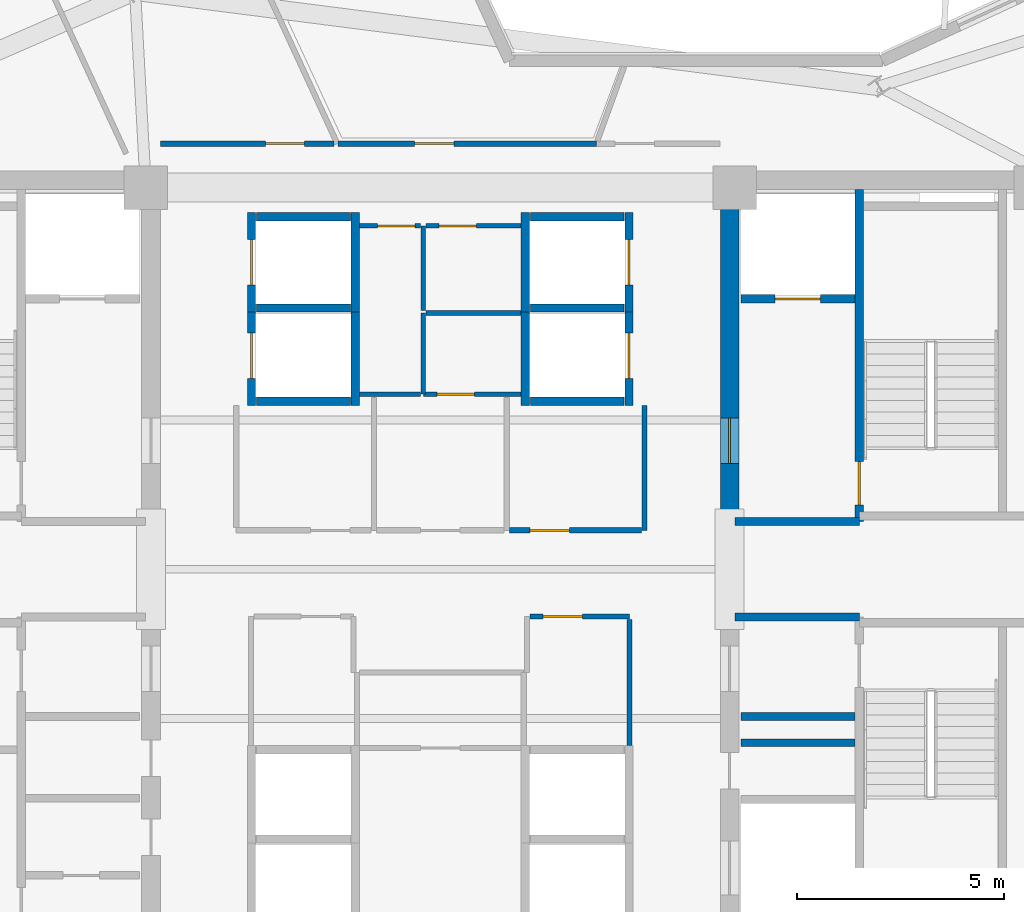
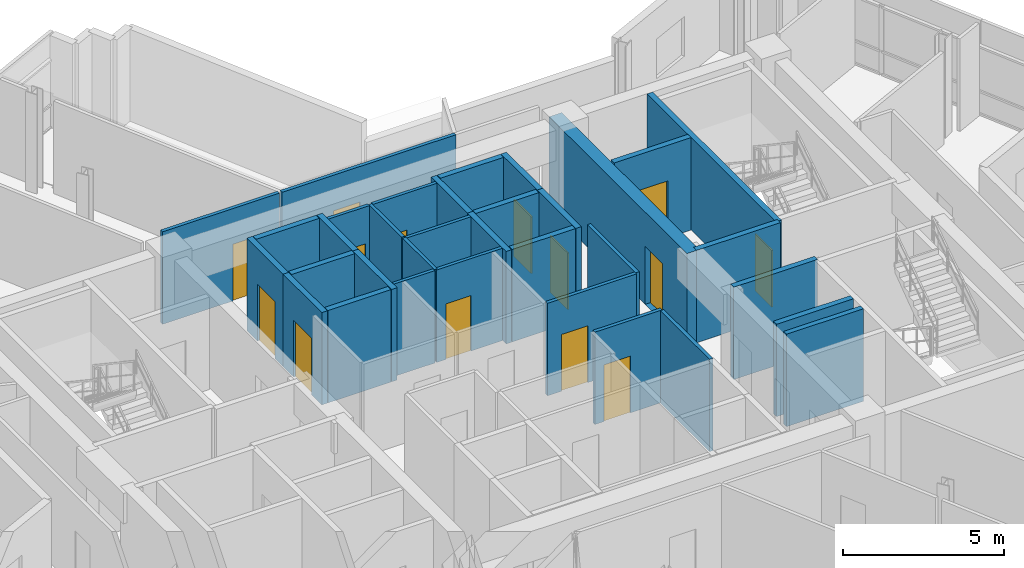
# One storey, part 7 of 12: 34 walls, 14 doors, 14 openings.
"""IFC4 building model written with IfcOpenShell, lengths in metres."""

from ifc_helpers import new_model, si_unit, direction, frame, frame_2d, origin, place, context, subcontext, project, spatial, rectangle, extrude, source, transform, mapped, material, layer, layer_set, type_object, element, fill, save


model = new_model("IFC4")

# Units and contexts
model_context = context("Model", 3, precision=1e-05, world=origin(), true_north=direction((0.0, 1.0)))
body_context = subcontext(model_context, "Body", "Model", "MODEL_VIEW")
ifc_project = project(units=[si_unit("LENGTHUNIT", "METRE"), si_unit("AREAUNIT", "SQUARE_METRE"), si_unit("VOLUMEUNIT", "CUBIC_METRE"), si_unit("PLANEANGLEUNIT", "RADIAN"), si_unit("MASSUNIT", "GRAM", prefix="KILO")], contexts=[model_context])

# Site, building, storey
site_placement = place(None, origin())
site = spatial("IfcSite", under=ifc_project, at=site_placement, CompositionType="ELEMENT")
building_placement = place(site_placement, origin())
building = spatial("IfcBuilding", under=site, at=building_placement, Name="Zahravan Cultural Tower", CompositionType="ELEMENT")
storey_placement = place(building_placement, frame((0.0, 0.0, 239.10009765625)))
storey = spatial("IfcBuildingStorey", under=building, at=storey_placement, Name="L56", CompositionType="ELEMENT", Elevation=239.10009765625)

# Wall, opening, door
ifc_material_1 = material(Name="Concrete C50/60", Category="concrete")
ifc_layer_1 = layer(ifc_material_1, 0.449951171875)
ifc_layer_set_1 = layer_set([ifc_layer_1], Name="Concrete C50/60")
wall_type_1 = type_object("IfcWallType", Name="CW-SHEAR-450-C50", PredefinedType="SHEAR", material=ifc_layer_set_1)
wall_1_placement = place(storey_placement, frame((42.97509765625, 28.050048828125, 0.0), z_axis=(0.0, 0.0, 1.0), x_axis=(0.0, 1.0, 0.0)))
wall_1 = element("IfcWall", 1, at=wall_1_placement, inside=storey, type_object=wall_type_1, Name="L56 Core Shear Wall CW-E-WN-L56", PredefinedType="SHEAR", context=body_context, shape_type="SweptSolid", body=[
    extrude(rectangle(XDim=8.550048828125, YDim=0.449951171875, at=frame_2d((4.27490234375, 0.0))), origin(), (0.0, 0.0, 1.0), 3.5),
])
opening_1_placement = place(wall_1_placement, frame((1.5, 0.0, 0.0)))
opening_1 = element("IfcOpeningElement", 2, at=opening_1_placement, cuts=wall_1, Name="Opening D-L56-07", PredefinedType="OPENING", context=body_context, shape_type="SweptSolid", body=[
    extrude(rectangle(XDim=1.10009765625, YDim=2.199951171875, at=frame_2d((0.550048828125, 1.10009765625))), frame((0.0, 0.23486328125, 0.0), z_axis=(0.0, -1.0, 0.0), x_axis=(1.0, 0.0, 0.0)), (0.0, 0.0, 1.0), 0.469970703125),
])
ifc_material_2 = material(Name="Steel ASTM A572 Grade 50", Category="steel")
door_type_1 = type_object("IfcDoorType", Name="DR-LOBBY-1100", OperationType="NOTDEFINED", PredefinedType="DOOR", material=ifc_material_2)
shared_shape_1 = source(origin(), body_context, "Body", "SweptSolid", [
    extrude(rectangle(XDim=1.10009765625, YDim=2.199951171875, at=frame_2d((0.550048828125, 1.10009765625))), frame((0.0, 0.02490234375, 0.0), z_axis=(0.0, -1.0, 0.0), x_axis=(1.0, 0.0, 0.0)), (0.0, 0.0, 1.0), 0.050048828125),
])
door_1_placement = place(opening_1_placement, origin())
door_1 = element("IfcDoor", 3, at=door_1_placement, inside=storey, type_object=door_type_1, Name="L56 Door D-L56-07", OperationType="SINGLE_SWING_RIGHT", OverallHeight=2.199951171875, OverallWidth=1.10009765625, PredefinedType="DOOR", context=body_context, shape_type="MappedRepresentation", body=[
    mapped(shared_shape_1, transform((0.0, 0.0, 0.0), x_axis=(1.0, 0.0, 0.0), y_axis=(0.0, 1.0, 0.0), z_axis=(0.0, 0.0, 1.0), scale=1.0)),
])
fill(opening_1, door_1)

ifc_material_3 = material(Name="Gypsum plasterboard partition")
ifc_layer_2 = layer(ifc_material_3, 0.125)
ifc_layer_set_2 = layer_set([ifc_layer_2], Name="Gypsum plasterboard partition")
wall_type_2 = type_object("IfcWallType", Name="W-PART-125", PredefinedType="PARTITIONING", material=ifc_layer_set_2)
wall_2_placement = place(storey_placement, frame((38.157470703125, 25.860107421875, 0.0), z_axis=(0.0, 0.0, 1.0), x_axis=(1.0, 0.0, 0.0)))
wall_2 = element("IfcWall", 4, at=wall_2_placement, inside=storey, type_object=wall_type_2, Name="L56 Interior Wall 073", PredefinedType="PARTITIONING", context=body_context, shape_type="SweptSolid", body=[
    extrude(rectangle(XDim=2.402587890625, YDim=0.125, at=frame_2d((1.201171875, 0.0))), origin(), (0.0, 0.0, 1.0), 3.5),
])
opening_2_placement = place(wall_2_placement, frame((0.319580078125, 0.0, 0.0)))
opening_2 = element("IfcOpeningElement", 5, at=opening_2_placement, cuts=wall_2, Name="Opening D-L56-15", PredefinedType="OPENING", context=body_context, shape_type="SweptSolid", body=[
    extrude(rectangle(XDim=0.949951171875, YDim=2.14990234375, at=frame_2d((0.47509765625, 1.074951171875))), frame((0.0, 0.072509765625, 0.0), z_axis=(0.0, -1.0, 0.0), x_axis=(1.0, 0.0, 0.0)), (0.0, 0.0, 1.0), 0.14501953125),
])
ifc_material_4 = material(Name="Anodised bronze-aluminium mullion", Category="aluminium")
door_type_2 = type_object("IfcDoorType", Name="DR-ROOM-950", OperationType="NOTDEFINED", PredefinedType="DOOR", material=ifc_material_4)
shared_shape_2 = source(origin(), body_context, "Body", "SweptSolid", [
    extrude(rectangle(XDim=0.949951171875, YDim=2.14990234375, at=frame_2d((0.47509765625, 1.074951171875))), frame((0.0, 0.02490234375, 0.0), z_axis=(0.0, -1.0, 0.0), x_axis=(1.0, 0.0, 0.0)), (0.0, 0.0, 1.0), 0.050048828125),
])
door_2_placement = place(opening_2_placement, origin())
door_2 = element("IfcDoor", 6, at=door_2_placement, inside=storey, type_object=door_type_2, Name="L56 Door D-L56-15", OperationType="SINGLE_SWING_RIGHT", OverallHeight=2.14990234375, OverallWidth=0.949951171875, PredefinedType="DOOR", context=body_context, shape_type="MappedRepresentation", body=[
    mapped(shared_shape_2, transform((0.0, 0.0, 0.0), x_axis=(1.0, 0.0, 0.0), y_axis=(0.0, 1.0, 0.0), z_axis=(0.0, 0.0, 1.0), scale=1.0)),
])
fill(opening_2, door_2)

wall_3_placement = place(storey_placement, frame((40.8525390625, 27.93994140625, 0.0), z_axis=(0.0, 0.0, 1.0), x_axis=(-1.0, 0.0, 0.0)))
wall_3 = element("IfcWall", 7, at=wall_3_placement, inside=storey, type_object=wall_type_2, Name="L56 Interior Wall 081", PredefinedType="PARTITIONING", context=body_context, shape_type="SweptSolid", body=[
    extrude(rectangle(XDim=3.18505859375, YDim=0.125, at=frame_2d((1.592529296875, 0.0))), origin(), (0.0, 0.0, 1.0), 3.5),
])
opening_3_placement = place(wall_3_placement, frame((1.743408203125, 0.0, 0.0)))
opening_3 = element("IfcOpeningElement", 8, at=opening_3_placement, cuts=wall_3, Name="Opening D-L56-20", PredefinedType="OPENING", context=body_context, shape_type="SweptSolid", body=[
    extrude(rectangle(XDim=0.949951171875, YDim=2.14990234375, at=frame_2d((0.47509765625, 1.074951171875))), frame((0.0, 0.072509765625, 0.0), z_axis=(0.0, -1.0, 0.0), x_axis=(1.0, 0.0, 0.0)), (0.0, 0.0, 1.0), 0.14501953125),
])
door_3_placement = place(opening_3_placement, origin())
door_3 = element("IfcDoor", 9, at=door_3_placement, inside=storey, type_object=door_type_2, Name="L56 Door D-L56-20", OperationType="SINGLE_SWING_LEFT", OverallHeight=2.14990234375, OverallWidth=0.949951171875, PredefinedType="DOOR", context=body_context, shape_type="MappedRepresentation", body=[
    mapped(shared_shape_2, transform((0.0, 0.0, 0.0), x_axis=(1.0, 0.0, 0.0), y_axis=(0.0, 1.0, 0.0), z_axis=(0.0, 0.0, 1.0), scale=1.0)),
])
fill(opening_3, door_3)

wall_4_placement = place(storey_placement, frame((33.443115234375, 37.260009765625, 0.0), z_axis=(0.0, 0.0, 1.0), x_axis=(-0.999999998299, -5.8329445e-05, 0.0)))
wall_4 = element("IfcWall", 10, at=wall_4_placement, inside=storey, type_object=wall_type_2, Name="L56 Interior Wall 102", PredefinedType="PARTITIONING", context=body_context, shape_type="SweptSolid", body=[
    extrude(rectangle(XDim=4.185546875, YDim=0.125, at=frame_2d((2.0927734375, 0.0))), origin(), (0.0, 0.0, 1.0), 3.5),
])
opening_4_placement = place(wall_4_placement, frame((0.7119140625, 0.0, 0.0)))
opening_4 = element("IfcOpeningElement", 11, at=opening_4_placement, cuts=wall_4, Name="Opening D-L56-25", PredefinedType="OPENING", context=body_context, shape_type="SweptSolid", body=[
    extrude(rectangle(XDim=0.949951171875, YDim=2.14990234375, at=frame_2d((0.47509765625, 1.074951171875))), frame((0.0, 0.072509765625, 0.0), z_axis=(0.0, -1.0, 0.0), x_axis=(1.0, 0.0, 0.0)), (0.0, 0.0, 1.0), 0.14501953125),
])
door_4_placement = place(opening_4_placement, origin())
door_4 = element("IfcDoor", 12, at=door_4_placement, inside=storey, type_object=door_type_2, Name="L56 Door D-L56-25", OperationType="SINGLE_SWING_RIGHT", OverallHeight=2.14990234375, OverallWidth=0.949951171875, PredefinedType="DOOR", context=body_context, shape_type="MappedRepresentation", body=[
    mapped(shared_shape_2, transform((0.0, 0.0, 0.0), x_axis=(1.0, 0.0, 0.0), y_axis=(0.0, 1.0, 0.0), z_axis=(0.0, 0.0, 1.0), scale=1.0)),
])
fill(opening_4, door_4)

wall_5_placement = place(storey_placement, frame((39.760986328125, 37.260009765625, 0.0), z_axis=(0.0, 0.0, 1.0), x_axis=(-1.0, 0.0, 0.0)))
wall_5 = element("IfcWall", 13, at=wall_5_placement, inside=storey, type_object=wall_type_2, Name="L56 Interior Wall 116", PredefinedType="PARTITIONING", context=body_context, shape_type="SweptSolid", body=[
    extrude(rectangle(XDim=6.221435546875, YDim=0.125, at=frame_2d((3.11083984375, 0.0))), origin(), (0.0, 0.0, 1.0), 3.5),
])
opening_5_placement = place(wall_5_placement, frame((3.426513671875, 0.0, 0.0)))
opening_5 = element("IfcOpeningElement", 14, at=opening_5_placement, cuts=wall_5, Name="Opening D-L56-24", PredefinedType="OPENING", context=body_context, shape_type="SweptSolid", body=[
    extrude(rectangle(XDim=0.949951171875, YDim=2.14990234375, at=frame_2d((0.47509765625, 1.074951171875))), frame((0.0, 0.072509765625, 0.0), z_axis=(0.0, -1.0, 0.0), x_axis=(1.0, 0.0, 0.0)), (0.0, 0.0, 1.0), 0.14501953125),
])
door_5_placement = place(opening_5_placement, origin())
door_5 = element("IfcDoor", 15, at=door_5_placement, inside=storey, type_object=door_type_2, Name="L56 Door D-L56-24", OperationType="SINGLE_SWING_LEFT", OverallHeight=2.14990234375, OverallWidth=0.949951171875, PredefinedType="DOOR", context=body_context, shape_type="MappedRepresentation", body=[
    mapped(shared_shape_2, transform((0.0, 0.0, 0.0), x_axis=(1.0, 0.0, 0.0), y_axis=(0.0, 1.0, 0.0), z_axis=(0.0, 0.0, 1.0), scale=1.0)),
])
fill(opening_5, door_5)

ifc_material_5 = material(Name="Concrete C45/55", Category="concrete")
ifc_layer_3 = layer(ifc_material_5, 0.199951171875)
ifc_layer_set_3 = layer_set([ifc_layer_3], Name="Concrete C45/55")
wall_type_3 = type_object("IfcWallType", Name="W-SHAFT-200", PredefinedType="SOLIDWALL", material=ifc_layer_set_3)
wall_6_placement = place(storey_placement, frame((46.10009765625, 28.14990234375, 0.0), z_axis=(0.0, 0.0, 1.0), x_axis=(0.0, 1.0, 0.0)))
wall_6 = element("IfcWall", 16, at=wall_6_placement, inside=storey, type_object=wall_type_3, Name="L56 Interior Wall 008", PredefinedType="SOLIDWALL", context=body_context, shape_type="SweptSolid", body=[
    extrude(rectangle(XDim=8.0, YDim=0.199951171875, at=frame_2d((4.0, 0.0))), origin(), (0.0, 0.0, 1.0), 3.5),
])
opening_6_placement = place(wall_6_placement, frame((0.39990234375, 0.0, 0.0)))
opening_6 = element("IfcOpeningElement", 17, at=opening_6_placement, cuts=wall_6, Name="Opening D-L56-02", PredefinedType="OPENING", context=body_context, shape_type="SweptSolid", body=[
    extrude(rectangle(XDim=1.050048828125, YDim=2.14990234375, at=frame_2d((0.52490234375, 1.074951171875))), frame((0.0, 0.10986328125, 0.0), z_axis=(0.0, -1.0, 0.0), x_axis=(1.0, 0.0, 0.0)), (0.0, 0.0, 1.0), 0.219970703125),
])
door_type_3 = type_object("IfcDoorType", Name="DR-STAIR-1050", OperationType="NOTDEFINED", PredefinedType="DOOR", material=ifc_material_2)
shared_shape_3 = source(origin(), body_context, "Body", "SweptSolid", [
    extrude(rectangle(XDim=1.050048828125, YDim=2.14990234375, at=frame_2d((0.52490234375, 1.074951171875))), frame((0.0, 0.02490234375, 0.0), z_axis=(0.0, -1.0, 0.0), x_axis=(1.0, 0.0, 0.0)), (0.0, 0.0, 1.0), 0.050048828125),
])
door_6_placement = place(opening_6_placement, origin())
door_6 = element("IfcDoor", 18, at=door_6_placement, inside=storey, type_object=door_type_3, Name="L56 Door D-L56-02", OperationType="SINGLE_SWING_LEFT", OverallHeight=2.14990234375, OverallWidth=1.050048828125, PredefinedType="DOOR", context=body_context, shape_type="MappedRepresentation", body=[
    mapped(shared_shape_3, transform((0.0, 0.0, 0.0), x_axis=(1.0, 0.0, 0.0), y_axis=(0.0, 1.0, 0.0), z_axis=(0.0, 0.0, 1.0), scale=1.0)),
])
fill(opening_6, door_6)

wall_7_placement = place(storey_placement, frame((43.25, 33.52001953125, 0.0), z_axis=(0.0, 0.0, 1.0), x_axis=(1.0, 0.0, 0.0)))
wall_7 = element("IfcWall", 19, at=wall_7_placement, inside=storey, type_object=wall_type_3, Name="L56 Interior Wall 023", PredefinedType="SOLIDWALL", context=body_context, shape_type="SweptSolid", body=[
    extrude(rectangle(XDim=2.75, YDim=0.199951171875, at=frame_2d((1.375, 0.0))), origin(), (0.0, 0.0, 1.0), 3.5),
])
opening_7_placement = place(wall_7_placement, frame((0.820068359375, 0.0, 0.0)))
opening_7 = element("IfcOpeningElement", 20, at=opening_7_placement, cuts=wall_7, Name="Opening LD-L56-02", PredefinedType="OPENING", context=body_context, shape_type="SweptSolid", body=[
    extrude(rectangle(XDim=1.10009765625, YDim=2.14990234375, at=frame_2d((0.550048828125, 1.074951171875))), frame((0.0, 0.10986328125, 0.0), z_axis=(0.0, -1.0, 0.0), x_axis=(1.0, 0.0, 0.0)), (0.0, 0.0, 1.0), 0.219970703125),
])
door_type_4 = type_object("IfcDoorType", Name="DR-LIFT-1100", OperationType="DOUBLE_DOOR_SLIDING", PredefinedType="DOOR", material=ifc_material_2)
shared_shape_4 = source(origin(), body_context, "Body", "SweptSolid", [
    extrude(rectangle(XDim=1.10009765625, YDim=2.14990234375, at=frame_2d((0.550048828125, 1.074951171875))), frame((0.0, 0.02490234375, 0.0), z_axis=(0.0, -1.0, 0.0), x_axis=(1.0, 0.0, 0.0)), (0.0, 0.0, 1.0), 0.050048828125),
])
door_7_placement = place(opening_7_placement, origin())
door_7 = element("IfcDoor", 21, at=door_7_placement, inside=storey, type_object=door_type_4, Name="L56 Door LD-L56-02", OperationType="DOUBLE_DOOR_SLIDING", OverallHeight=2.14990234375, OverallWidth=1.10009765625, PredefinedType="DOOR", context=body_context, shape_type="MappedRepresentation", body=[
    mapped(shared_shape_4, transform((0.0, 0.0, 0.0), x_axis=(1.0, 0.0, 0.0), y_axis=(0.0, 1.0, 0.0), z_axis=(0.0, 0.0, 1.0), scale=1.0)),
])
fill(opening_7, door_7)

wall_8_placement = place(storey_placement, frame((31.449951171875, 33.199951171875, 0.0), z_axis=(0.0, 0.0, 1.0), x_axis=(0.0, 1.0, 0.0)))
wall_8 = element("IfcWall", 22, at=wall_8_placement, inside=storey, type_object=wall_type_3, Name="L56 Interior Wall 030", PredefinedType="SOLIDWALL", context=body_context, shape_type="SweptSolid", body=[
    extrude(rectangle(XDim=2.400146484375, YDim=0.199951171875, at=frame_2d((1.2001953125, 0.0))), origin(), (0.0, 0.0, 1.0), 3.5),
])
opening_8_placement = place(wall_8_placement, frame((0.64990234375, 0.0, 0.0)))
opening_8 = element("IfcOpeningElement", 23, at=opening_8_placement, cuts=wall_8, Name="Opening LD-L56-04", PredefinedType="OPENING", context=body_context, shape_type="SweptSolid", body=[
    extrude(rectangle(XDim=1.10009765625, YDim=2.14990234375, at=frame_2d((0.550048828125, 1.074951171875))), frame((0.0, 0.10986328125, 0.0), z_axis=(0.0, -1.0, 0.0), x_axis=(1.0, 0.0, 0.0)), (0.0, 0.0, 1.0), 0.219970703125),
])
door_8_placement = place(opening_8_placement, origin())
door_8 = element("IfcDoor", 24, at=door_8_placement, inside=storey, type_object=door_type_4, Name="L56 Door LD-L56-04", OperationType="DOUBLE_DOOR_SLIDING", OverallHeight=2.14990234375, OverallWidth=1.10009765625, PredefinedType="DOOR", context=body_context, shape_type="MappedRepresentation", body=[
    mapped(shared_shape_4, transform((0.0, 0.0, 0.0), x_axis=(1.0, 0.0, 0.0), y_axis=(0.0, 1.0, 0.0), z_axis=(0.0, 0.0, 1.0), scale=1.0)),
])
fill(opening_8, door_8)

wall_9_placement = place(storey_placement, frame((31.449951171875, 30.949951171875, 0.0), z_axis=(0.0, 0.0, 1.0), x_axis=(0.0, 1.0, 0.0)))
wall_9 = element("IfcWall", 25, at=wall_9_placement, inside=storey, type_object=wall_type_3, Name="L56 Interior Wall 034", PredefinedType="SOLIDWALL", context=body_context, shape_type="SweptSolid", body=[
    extrude(rectangle(XDim=2.400146484375, YDim=0.199951171875, at=frame_2d((1.2001953125, 0.0))), origin(), (0.0, 0.0, 1.0), 3.5),
])
opening_9_placement = place(wall_9_placement, frame((0.64990234375, 0.0, 0.0)))
opening_9 = element("IfcOpeningElement", 26, at=opening_9_placement, cuts=wall_9, Name="Opening LD-L56-05", PredefinedType="OPENING", context=body_context, shape_type="SweptSolid", body=[
    extrude(rectangle(XDim=1.10009765625, YDim=2.14990234375, at=frame_2d((0.550048828125, 1.074951171875))), frame((0.0, 0.10986328125, 0.0), z_axis=(0.0, -1.0, 0.0), x_axis=(1.0, 0.0, 0.0)), (0.0, 0.0, 1.0), 0.219970703125),
])
door_9_placement = place(opening_9_placement, origin())
door_9 = element("IfcDoor", 27, at=door_9_placement, inside=storey, type_object=door_type_4, Name="L56 Door LD-L56-05", OperationType="DOUBLE_DOOR_SLIDING", OverallHeight=2.14990234375, OverallWidth=1.10009765625, PredefinedType="DOOR", context=body_context, shape_type="MappedRepresentation", body=[
    mapped(shared_shape_4, transform((0.0, 0.0, 0.0), x_axis=(1.0, 0.0, 0.0), y_axis=(0.0, 1.0, 0.0), z_axis=(0.0, 0.0, 1.0), scale=1.0)),
])
fill(opening_9, door_9)

wall_10_placement = place(storey_placement, frame((40.550048828125, 33.199951171875, 0.0), z_axis=(0.0, 0.0, 1.0), x_axis=(0.0, 1.0, 0.0)))
wall_10 = element("IfcWall", 28, at=wall_10_placement, inside=storey, type_object=wall_type_3, Name="L56 Interior Wall 038", PredefinedType="SOLIDWALL", context=body_context, shape_type="SweptSolid", body=[
    extrude(rectangle(XDim=2.400146484375, YDim=0.199951171875, at=frame_2d((1.2001953125, 0.0))), origin(), (0.0, 0.0, 1.0), 3.5),
])
opening_10_placement = place(wall_10_placement, frame((0.64990234375, 0.0, 0.0)))
opening_10 = element("IfcOpeningElement", 29, at=opening_10_placement, cuts=wall_10, Name="Opening LD-L56-06", PredefinedType="OPENING", context=body_context, shape_type="SweptSolid", body=[
    extrude(rectangle(XDim=1.10009765625, YDim=2.14990234375, at=frame_2d((0.550048828125, 1.074951171875))), frame((0.0, 0.10986328125, 0.0), z_axis=(0.0, -1.0, 0.0), x_axis=(1.0, 0.0, 0.0)), (0.0, 0.0, 1.0), 0.219970703125),
])
door_10_placement = place(opening_10_placement, origin())
door_10 = element("IfcDoor", 30, at=door_10_placement, inside=storey, type_object=door_type_4, Name="L56 Door LD-L56-06", OperationType="DOUBLE_DOOR_SLIDING", OverallHeight=2.14990234375, OverallWidth=1.10009765625, PredefinedType="DOOR", context=body_context, shape_type="MappedRepresentation", body=[
    mapped(shared_shape_4, transform((0.0, 0.0, 0.0), x_axis=(1.0, 0.0, 0.0), y_axis=(0.0, 1.0, 0.0), z_axis=(0.0, 0.0, 1.0), scale=1.0)),
])
fill(opening_10, door_10)

wall_11_placement = place(storey_placement, frame((40.550048828125, 30.949951171875, 0.0), z_axis=(0.0, 0.0, 1.0), x_axis=(0.0, 1.0, 0.0)))
wall_11 = element("IfcWall", 31, at=wall_11_placement, inside=storey, type_object=wall_type_3, Name="L56 Interior Wall 042", PredefinedType="SOLIDWALL", context=body_context, shape_type="SweptSolid", body=[
    extrude(rectangle(XDim=2.400146484375, YDim=0.199951171875, at=frame_2d((1.2001953125, 0.0))), origin(), (0.0, 0.0, 1.0), 3.5),
])
opening_11_placement = place(wall_11_placement, frame((0.64990234375, 0.0, 0.0)))
opening_11 = element("IfcOpeningElement", 32, at=opening_11_placement, cuts=wall_11, Name="Opening LD-L56-07", PredefinedType="OPENING", context=body_context, shape_type="SweptSolid", body=[
    extrude(rectangle(XDim=1.10009765625, YDim=2.14990234375, at=frame_2d((0.550048828125, 1.074951171875))), frame((0.0, 0.10986328125, 0.0), z_axis=(0.0, -1.0, 0.0), x_axis=(1.0, 0.0, 0.0)), (0.0, 0.0, 1.0), 0.219970703125),
])
door_11_placement = place(opening_11_placement, origin())
door_11 = element("IfcDoor", 33, at=door_11_placement, inside=storey, type_object=door_type_4, Name="L56 Door LD-L56-07", OperationType="DOUBLE_DOOR_SLIDING", OverallHeight=2.14990234375, OverallWidth=1.10009765625, PredefinedType="DOOR", context=body_context, shape_type="MappedRepresentation", body=[
    mapped(shared_shape_4, transform((0.0, 0.0, 0.0), x_axis=(1.0, 0.0, 0.0), y_axis=(0.0, 1.0, 0.0), z_axis=(0.0, 0.0, 1.0), scale=1.0)),
])
fill(opening_11, door_11)

ifc_layer_4 = layer(ifc_material_3, 0.114990234375)
ifc_layer_set_4 = layer_set([ifc_layer_4], Name="Gypsum plasterboard partition")
wall_type_4 = type_object("IfcWallType", Name="W-WC-115", PredefinedType="PARTITIONING", material=ifc_layer_set_4)
wall_12_placement = place(storey_placement, frame((37.945068359375, 31.219970703125, 0.0), z_axis=(0.0, 0.0, 1.0), x_axis=(-1.0, 0.0, 0.0)))
wall_12 = element("IfcWall", 34, at=wall_12_placement, inside=storey, type_object=wall_type_4, Name="L56 Interior Wall 058", PredefinedType="PARTITIONING", context=body_context, shape_type="SweptSolid", body=[
    extrude(rectangle(XDim=2.35498046875, YDim=0.114990234375, at=frame_2d((1.177490234375, 0.0))), origin(), (0.0, 0.0, 1.0), 3.5),
])
opening_12_placement = place(wall_12_placement, frame((1.120849609375, 0.0, 0.0)))
opening_12 = element("IfcOpeningElement", 35, at=opening_12_placement, cuts=wall_12, Name="Opening D-L56-31", PredefinedType="OPENING", context=body_context, shape_type="SweptSolid", body=[
    extrude(rectangle(XDim=0.89990234375, YDim=2.10009765625, at=frame_2d((0.449951171875, 1.050048828125))), frame((0.0, 0.0673828125, 0.0), z_axis=(0.0, -1.0, 0.0), x_axis=(1.0, 0.0, 0.0)), (0.0, 0.0, 1.0), 0.135009765625),
])
door_type_5 = type_object("IfcDoorType", Name="DR-WC-900", OperationType="NOTDEFINED", PredefinedType="DOOR", material=ifc_material_4)
shared_shape_5 = source(origin(), body_context, "Body", "SweptSolid", [
    extrude(rectangle(XDim=0.89990234375, YDim=2.10009765625, at=frame_2d((0.449951171875, 1.050048828125))), frame((0.0, 0.02490234375, 0.0), z_axis=(0.0, -1.0, 0.0), x_axis=(1.0, 0.0, 0.0)), (0.0, 0.0, 1.0), 0.050048828125),
])
door_12_placement = place(opening_12_placement, origin())
door_12 = element("IfcDoor", 36, at=door_12_placement, inside=storey, type_object=door_type_5, Name="L56 Door D-L56-31", OperationType="SINGLE_SWING_RIGHT", OverallHeight=2.10009765625, OverallWidth=0.89990234375, PredefinedType="DOOR", context=body_context, shape_type="MappedRepresentation", body=[
    mapped(shared_shape_5, transform((0.0, 0.0, 0.0), x_axis=(1.0, 0.0, 0.0), y_axis=(0.0, 1.0, 0.0), z_axis=(0.0, 0.0, 1.0), scale=1.0)),
])
fill(opening_12, door_12)

wall_13_placement = place(storey_placement, frame((35.652587890625, 35.280029296875, 0.0), z_axis=(0.0, 0.0, 1.0), x_axis=(1.0, 0.0, 0.0)))
wall_13 = element("IfcWall", 37, at=wall_13_placement, inside=storey, type_object=wall_type_4, Name="L56 Interior Wall 062", PredefinedType="PARTITIONING", context=body_context, shape_type="SweptSolid", body=[
    extrude(rectangle(XDim=2.29248046875, YDim=0.114990234375, at=frame_2d((1.146240234375, 0.0))), origin(), (0.0, 0.0, 1.0), 3.5),
])
opening_13_placement = place(wall_13_placement, frame((0.3203125, 0.0, 0.0)))
opening_13 = element("IfcOpeningElement", 38, at=opening_13_placement, cuts=wall_13, Name="Opening D-L56-17", PredefinedType="OPENING", context=body_context, shape_type="SweptSolid", body=[
    extrude(rectangle(XDim=0.89990234375, YDim=2.10009765625, at=frame_2d((0.449951171875, 1.050048828125))), frame((0.0, 0.0673828125, 0.0), z_axis=(0.0, -1.0, 0.0), x_axis=(1.0, 0.0, 0.0)), (0.0, 0.0, 1.0), 0.135009765625),
])
door_13_placement = place(opening_13_placement, origin())
door_13 = element("IfcDoor", 39, at=door_13_placement, inside=storey, type_object=door_type_5, Name="L56 Door D-L56-17", OperationType="SINGLE_SWING_RIGHT", OverallHeight=2.10009765625, OverallWidth=0.89990234375, PredefinedType="DOOR", context=body_context, shape_type="MappedRepresentation", body=[
    mapped(shared_shape_5, transform((0.0, 0.0, 0.0), x_axis=(1.0, 0.0, 0.0), y_axis=(0.0, 1.0, 0.0), z_axis=(0.0, 0.0, 1.0), scale=1.0)),
])
fill(opening_13, door_13)

wall_14_placement = place(storey_placement, frame((34.054931640625, 35.280029296875, 0.0), z_axis=(0.0, 0.0, 1.0), x_axis=(1.0, 0.0, 0.0)))
wall_14 = element("IfcWall", 40, at=wall_14_placement, inside=storey, type_object=wall_type_4, Name="L56 Interior Wall 064", PredefinedType="PARTITIONING", context=body_context, shape_type="SweptSolid", body=[
    extrude(rectangle(XDim=1.47265625, YDim=0.114990234375, at=frame_2d((0.736328125, 0.0))), origin(), (0.0, 0.0, 1.0), 3.5),
])
opening_14_placement = place(wall_14_placement, frame((0.4326171875, 0.0, 0.0)))
opening_14 = element("IfcOpeningElement", 41, at=opening_14_placement, cuts=wall_14, Name="Opening D-L56-16", PredefinedType="OPENING", context=body_context, shape_type="SweptSolid", body=[
    extrude(rectangle(XDim=0.89990234375, YDim=2.10009765625, at=frame_2d((0.449951171875, 1.050048828125))), frame((0.0, 0.0673828125, 0.0), z_axis=(0.0, -1.0, 0.0), x_axis=(1.0, 0.0, 0.0)), (0.0, 0.0, 1.0), 0.135009765625),
])
door_14_placement = place(opening_14_placement, origin())
door_14 = element("IfcDoor", 42, at=door_14_placement, inside=storey, type_object=door_type_5, Name="L56 Door D-L56-16", OperationType="SINGLE_SWING_LEFT", OverallHeight=2.10009765625, OverallWidth=0.89990234375, PredefinedType="DOOR", context=body_context, shape_type="MappedRepresentation", body=[
    mapped(shared_shape_5, transform((0.0, 0.0, 0.0), x_axis=(1.0, 0.0, 0.0), y_axis=(0.0, 1.0, 0.0), z_axis=(0.0, 0.0, 1.0), scale=1.0)),
])
fill(opening_14, door_14)

# Walls
shared_shape_6 = source(origin(), body_context, "Body", "SweptSolid", [
    extrude(rectangle(XDim=3.0, YDim=0.199951171875, at=frame_2d((1.5, 0.0))), origin(), (0.0, 0.0, 1.0), 3.5),
])
for number, where, z_axis, x_axis, name in (
    (43, (43.10009765625, 25.85009765625, 0.0), (0.0, 0.0, 1.0), (1.0, 0.0, 0.0), "L56 Interior Wall 013"),
    (44, (43.10009765625, 28.14990234375, 0.0), (0.0, 0.0, 1.0), (1.0, 0.0, 0.0), "L56 Interior Wall 015"),
):
    element("IfcWall", number, at=place(storey_placement, frame(where, z_axis=z_axis, x_axis=x_axis)), inside=storey, type_object=wall_type_3, Name=name, PredefinedType="SOLIDWALL", context=body_context, shape_type="MappedRepresentation", body=[
        mapped(shared_shape_6, transform((0.0, 0.0, 0.0), x_axis=(1.0, 0.0, 0.0), y_axis=(0.0, 1.0, 0.0), z_axis=(0.0, 0.0, 1.0), scale=1.0)),
    ])
shared_shape_7 = source(origin(), body_context, "Body", "SweptSolid", [
    extrude(rectangle(XDim=2.75, YDim=0.199951171875, at=frame_2d((1.375, 0.0))), origin(), (0.0, 0.0, 1.0), 3.5),
])
wall_15_placement = place(storey_placement, frame((43.25, 23.449951171875, 0.0), z_axis=(0.0, 0.0, 1.0), x_axis=(1.0, 0.0, 0.0)))
element("IfcWall", 45, at=wall_15_placement, inside=storey, type_object=wall_type_3, Name="L56 Interior Wall 025", PredefinedType="SOLIDWALL", context=body_context, shape_type="MappedRepresentation", body=[
    mapped(shared_shape_7, transform((0.0, 0.0, 0.0), x_axis=(1.0, 0.0, 0.0), y_axis=(0.0, 1.0, 0.0), z_axis=(0.0, 0.0, 1.0), scale=1.0)),
])
ifc_layer_5 = layer(ifc_material_3, 0.179931640625)
ifc_layer_set_5 = layer_set([ifc_layer_5], Name="Gypsum plasterboard partition")
wall_type_5 = type_object("IfcWallType", Name="W-COMP-180", PredefinedType="PARTITIONING", material=ifc_layer_set_5)
shared_shape_8 = source(origin(), body_context, "Body", "SweptSolid", [
    extrude(rectangle(XDim=2.75, YDim=0.179931640625, at=frame_2d((1.375, 0.0))), origin(), (0.0, 0.0, 1.0), 3.5),
])
wall_16_placement = place(storey_placement, frame((43.25, 22.820068359375, 0.0), z_axis=(0.0, 0.0, 1.0), x_axis=(1.0, 0.0, 0.0)))
element("IfcWall", 46, at=wall_16_placement, inside=storey, type_object=wall_type_5, Name="L56 Interior Wall 029", PredefinedType="PARTITIONING", context=body_context, shape_type="MappedRepresentation", body=[
    mapped(shared_shape_8, transform((0.0, 0.0, 0.0), x_axis=(1.0, 0.0, 0.0), y_axis=(0.0, 1.0, 0.0), z_axis=(0.0, 0.0, 1.0), scale=1.0)),
])
shared_shape_9 = source(origin(), body_context, "Body", "SweptSolid", [
    extrude(rectangle(XDim=2.400146484375, YDim=0.199951171875, at=frame_2d((1.2001953125, 0.0))), origin(), (0.0, 0.0, 1.0), 3.5),
])
for number, where, z_axis, x_axis, name in (
    (47, (33.949951171875, 33.199951171875, 0.0), (0.0, 0.0, 1.0), (0.0, 1.0, 0.0), "L56 Interior Wall 031"),
    (48, (33.949951171875, 30.949951171875, 0.0), (0.0, 0.0, 1.0), (0.0, 1.0, 0.0), "L56 Interior Wall 035"),
    (49, (38.050048828125, 33.199951171875, 0.0), (0.0, 0.0, 1.0), (0.0, 1.0, 0.0), "L56 Interior Wall 037"),
    (50, (38.050048828125, 30.949951171875, 0.0), (0.0, 0.0, 1.0), (0.0, 1.0, 0.0), "L56 Interior Wall 041"),
):
    element("IfcWall", number, at=place(storey_placement, frame(where, z_axis=z_axis, x_axis=x_axis)), inside=storey, type_object=wall_type_3, Name=name, PredefinedType="SOLIDWALL", context=body_context, shape_type="MappedRepresentation", body=[
        mapped(shared_shape_9, transform((0.0, 0.0, 0.0), x_axis=(1.0, 0.0, 0.0), y_axis=(0.0, 1.0, 0.0), z_axis=(0.0, 0.0, 1.0), scale=1.0)),
    ])
shared_shape_10 = source(origin(), body_context, "Body", "SweptSolid", [
    extrude(rectangle(XDim=2.260009765625, YDim=0.199951171875, at=frame_2d((1.1298828125, 0.0))), origin(), (0.0, 0.0, 1.0), 3.5),
])
for number, where, z_axis, x_axis, name in (
    (51, (31.570068359375, 33.300048828125, 0.0), (0.0, 0.0, 1.0), (1.0, 0.0, 0.0), "L56 Interior Wall 032"),
    (52, (31.570068359375, 35.5, 0.0), (0.0, 0.0, 1.0), (1.0, 0.0, 0.0), "L56 Interior Wall 033"),
    (53, (31.570068359375, 31.050048828125, 0.0), (0.0, 0.0, 1.0), (1.0, 0.0, 0.0), "L56 Interior Wall 036"),
    (54, (38.169921875, 33.300048828125, 0.0), (0.0, 0.0, 1.0), (1.0, 0.0, 0.0), "L56 Interior Wall 039"),
    (55, (38.169921875, 35.5, 0.0), (0.0, 0.0, 1.0), (1.0, 0.0, 0.0), "L56 Interior Wall 040"),
    (56, (38.169921875, 31.050048828125, 0.0), (0.0, 0.0, 1.0), (1.0, 0.0, 0.0), "L56 Interior Wall 043"),
):
    element("IfcWall", number, at=place(storey_placement, frame(where, z_axis=z_axis, x_axis=x_axis)), inside=storey, type_object=wall_type_3, Name=name, PredefinedType="SOLIDWALL", context=body_context, shape_type="MappedRepresentation", body=[
        mapped(shared_shape_10, transform((0.0, 0.0, 0.0), x_axis=(1.0, 0.0, 0.0), y_axis=(0.0, 1.0, 0.0), z_axis=(0.0, 0.0, 1.0), scale=1.0)),
    ])
shared_shape_11 = source(origin(), body_context, "Body", "SweptSolid", [
    extrude(rectangle(XDim=1.9599609375, YDim=0.114990234375, at=frame_2d((0.97998046875, 0.0))), origin(), (0.0, 0.0, 1.0), 3.5),
])
wall_17_placement = place(storey_placement, frame((35.590087890625, 31.219970703125, 0.0), z_axis=(0.0, 0.0, 1.0), x_axis=(0.0, 1.0, 0.0)))
element("IfcWall", 57, at=wall_17_placement, inside=storey, type_object=wall_type_4, Name="L56 Interior Wall 059", PredefinedType="PARTITIONING", context=body_context, shape_type="MappedRepresentation", body=[
    mapped(shared_shape_11, transform((0.0, 0.0, 0.0), x_axis=(1.0, 0.0, 0.0), y_axis=(0.0, 1.0, 0.0), z_axis=(0.0, 0.0, 1.0), scale=1.0)),
])
shared_shape_12 = source(origin(), body_context, "Body", "SweptSolid", [
    extrude(rectangle(XDim=2.29248046875, YDim=0.114990234375, at=frame_2d((1.146240234375, 0.0))), origin(), (0.0, 0.0, 1.0), 3.5),
])
wall_18_placement = place(storey_placement, frame((35.652587890625, 33.179931640625, 0.0), z_axis=(0.0, 0.0, 1.0), x_axis=(1.0, 0.0, 0.0)))
element("IfcWall", 58, at=wall_18_placement, inside=storey, type_object=wall_type_4, Name="L56 Interior Wall 060", PredefinedType="PARTITIONING", context=body_context, shape_type="MappedRepresentation", body=[
    mapped(shared_shape_12, transform((0.0, 0.0, 0.0), x_axis=(1.0, 0.0, 0.0), y_axis=(0.0, 1.0, 0.0), z_axis=(0.0, 0.0, 1.0), scale=1.0)),
])
shared_shape_13 = source(origin(), body_context, "Body", "SweptSolid", [
    extrude(rectangle(XDim=2.0400390625, YDim=0.114990234375, at=frame_2d((1.02001953125, 0.0))), origin(), (0.0, 0.0, 1.0), 3.5),
])
wall_19_placement = place(storey_placement, frame((35.590087890625, 33.239990234375, 0.0), z_axis=(0.0, 0.0, 1.0), x_axis=(0.0, 1.0, 0.0)))
element("IfcWall", 59, at=wall_19_placement, inside=storey, type_object=wall_type_4, Name="L56 Interior Wall 061", PredefinedType="PARTITIONING", context=body_context, shape_type="MappedRepresentation", body=[
    mapped(shared_shape_13, transform((0.0, 0.0, 0.0), x_axis=(1.0, 0.0, 0.0), y_axis=(0.0, 1.0, 0.0), z_axis=(0.0, 0.0, 1.0), scale=1.0)),
])
shared_shape_14 = source(origin(), body_context, "Body", "SweptSolid", [
    extrude(rectangle(XDim=1.47265625, YDim=0.114990234375, at=frame_2d((0.736328125, 0.0))), origin(), (0.0, 0.0, 1.0), 3.5),
])
wall_20_placement = place(storey_placement, frame((35.527587890625, 31.219970703125, 0.0), z_axis=(0.0, 0.0, 1.0), x_axis=(-1.0, 0.0, 0.0)))
element("IfcWall", 60, at=wall_20_placement, inside=storey, type_object=wall_type_4, Name="L56 Interior Wall 063", PredefinedType="PARTITIONING", context=body_context, shape_type="MappedRepresentation", body=[
    mapped(shared_shape_14, transform((0.0, 0.0, 0.0), x_axis=(1.0, 0.0, 0.0), y_axis=(0.0, 1.0, 0.0), z_axis=(0.0, 0.0, 1.0), scale=1.0)),
])
shared_shape_15 = source(origin(), body_context, "Body", "SweptSolid", [
    extrude(rectangle(XDim=3.04248046875, YDim=0.125, at=frame_2d((1.521240234375, 0.0))), origin(), (0.0, 0.0, 1.0), 3.5),
])
wall_21_placement = place(storey_placement, frame((40.56005859375, 25.79248046875, 0.0), z_axis=(0.0, 0.0, 1.0), x_axis=(0.0, -1.0, 0.0)))
element("IfcWall", 61, at=wall_21_placement, inside=storey, type_object=wall_type_2, Name="L56 Interior Wall 074", PredefinedType="PARTITIONING", context=body_context, shape_type="MappedRepresentation", body=[
    mapped(shared_shape_15, transform((0.0, 0.0, 0.0), x_axis=(1.0, 0.0, 0.0), y_axis=(0.0, 1.0, 0.0), z_axis=(0.0, 0.0, 1.0), scale=1.0)),
])
shared_shape_16 = source(origin(), body_context, "Body", "SweptSolid", [
    extrude(rectangle(XDim=3.010009765625, YDim=0.125, at=frame_2d((1.5048828125, 0.0))), origin(), (0.0, 0.0, 1.0), 3.5),
])
wall_22_placement = place(storey_placement, frame((40.919921875, 30.949951171875, 0.0), z_axis=(0.0, 0.0, 1.0), x_axis=(0.0, -1.0, 0.0)))
element("IfcWall", 62, at=wall_22_placement, inside=storey, type_object=wall_type_2, Name="L56 Interior Wall 080", PredefinedType="PARTITIONING", context=body_context, shape_type="MappedRepresentation", body=[
    mapped(shared_shape_16, transform((0.0, 0.0, 0.0), x_axis=(1.0, 0.0, 0.0), y_axis=(0.0, 1.0, 0.0), z_axis=(0.0, 0.0, 1.0), scale=1.0)),
])

save(model, "model.ifc")
